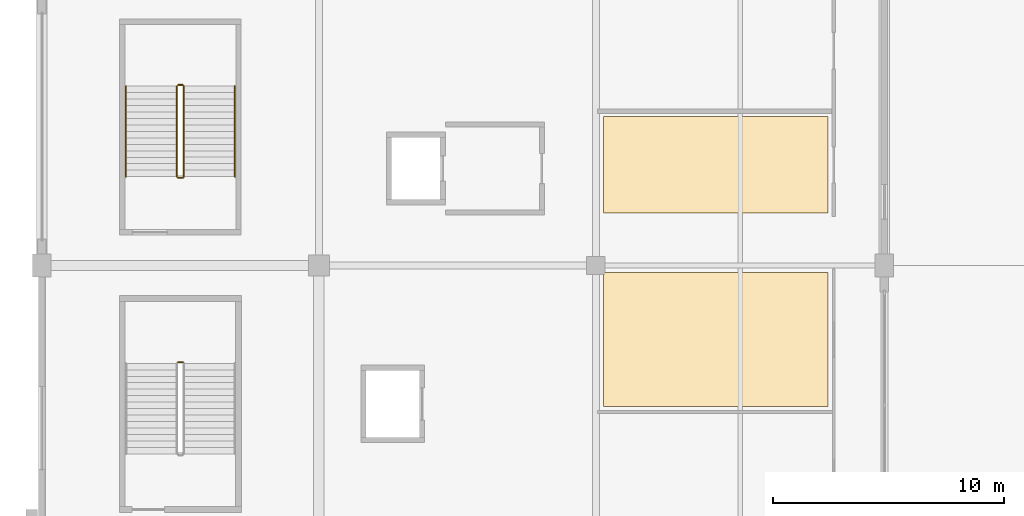
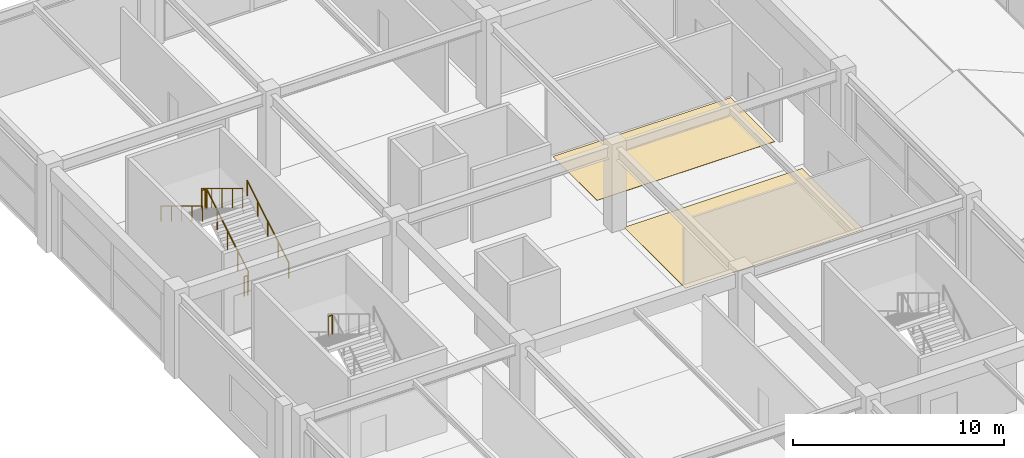
# One storey, part 110 of 116: 7 railings, 2 coverings.
"""IFC4 building model written with IfcOpenShell, lengths in metres."""

from ifc_helpers import new_model, si_unit, direction, frame, origin, origin_2d, place, context, subcontext, project, spatial, polyline, circle, outline, extrude, material, layer, layer_set, type_object, element, save


model = new_model("IFC4")

# Units and contexts
model_context = context("Model", 3, precision=1e-05, world=origin(), true_north=direction((0.0, 1.0)))
body_context = subcontext(model_context, "Body", "Model", "MODEL_VIEW")
ifc_project = project(units=[si_unit("LENGTHUNIT", "METRE"), si_unit("AREAUNIT", "SQUARE_METRE"), si_unit("VOLUMEUNIT", "CUBIC_METRE"), si_unit("PLANEANGLEUNIT", "RADIAN"), si_unit("MASSUNIT", "GRAM", prefix="KILO")], contexts=[model_context])

# Site, building, storey
site_placement = place(None, origin())
site = spatial("IfcSite", under=ifc_project, at=site_placement, CompositionType="ELEMENT")
building_placement = place(site_placement, origin())
building = spatial("IfcBuilding", under=site, at=building_placement, Name="Kazenohara Klinker Stadium", CompositionType="ELEMENT")
storey_placement = place(building_placement, frame((0.0, 0.0, 10.199951171875)))
storey = spatial("IfcBuildingStorey", under=building, at=storey_placement, Name="L02", CompositionType="ELEMENT", Elevation=10.199951171875)

# Coverings
ifc_material_1 = material(Name="Slip-resistant honed basalt terrazzo flooring", Category="masonry")
ifc_layer_1 = layer(ifc_material_1, 0.02001953125)
ifc_layer_set_1 = layer_set([ifc_layer_1], Name="Slip-resistant honed basalt terrazzo flooring")
covering_type_1 = type_object("IfcCoveringType", Name="COV-FLR-01", PredefinedType="FLOORING", material=ifc_layer_set_1)
covering_1_placement = place(storey_placement, origin())
element("IfcCovering", 1, at=covering_1_placement, inside=storey, type_object=covering_type_1, Name="Interior floor finish FL01 Corporate Hospitality Viewing Suite L02-0211B", PredefinedType="FLOORING", context=body_context, shape_type="SweptSolid", body=[
    extrude(outline(polyline([(24.330078125, 137.879638671875), (34.070068359375, 137.879638671875), (34.070068359375, 143.68994140625), (24.330078125, 143.68994140625), (24.330078125, 137.879638671875)])), origin(), (0.0, 0.0, 1.0), 0.02001953125),
])
ifc_material_2 = material(Name="Cushioned EPDM sports rubber flooring", Category="rubber")
ifc_layer_2 = layer(ifc_material_2, 0.014892578125)
ifc_layer_set_2 = layer_set([ifc_layer_2], Name="Cushioned EPDM sports rubber flooring")
covering_type_2 = type_object("IfcCoveringType", Name="COV-FLR-02", PredefinedType="FLOORING", material=ifc_layer_set_2)
covering_2_placement = place(storey_placement, origin())
element("IfcCovering", 2, at=covering_2_placement, inside=storey, type_object=covering_type_2, Name="Interior floor finish FL02 Sapporo Autumn Banquet Hall L02-0212A", PredefinedType="FLOORING", context=body_context, shape_type="SweptSolid", body=[
    extrude(outline(polyline([(24.330078125, 146.27001953125), (34.070068359375, 146.27001953125), (34.070068359375, 150.45849609375), (24.330078125, 150.45849609375), (24.330078125, 146.27001953125)])), origin(), (0.0, 0.0, 1.0), 0.01513671875),
])

# Railings
ifc_material_3 = material(Name="Brushed stainless steel 304 handrail", Category="steel")
ifc_layer_3 = layer(ifc_material_3, 0.050048828125)
ifc_layer_set_3 = layer_set([ifc_layer_3], Name="Brushed stainless steel 304 handrail")
railing_type_1 = type_object("IfcRailingType", Name="RL-HND-900", PredefinedType="HANDRAIL", material=ifc_layer_set_3)
railing_1_placement = place(storey_placement, frame((8.360107421875, 147.85009765625, 0.170166015625)))
element("IfcRailing", 3, at=railing_1_placement, inside=storey, type_object=railing_type_1, Name="L02 ST06 stair handrail 1", PredefinedType="HANDRAIL", context=body_context, shape_type="SweptSolid", body=[
    extrude(circle(Radius=0.02392578125, at=origin_2d()), frame((0.0, 0.0, 0.8759765625), z_axis=(0.0, 0.854794262968, 0.518967020143), x_axis=(-1.0, 0.0, 0.0)), (0.0, 0.0, 1.0), 4.585693359375),
    extrude(circle(Radius=0.02099609375, at=origin_2d()), origin(), (0.0, 0.0, 1.0), 0.851806640625),
    extrude(circle(Radius=0.02099609375, at=origin_2d()), frame((0.0, 0.97998046875, 0.594970703125)), (0.0, 0.0, 1.0), 0.851806640625),
    extrude(circle(Radius=0.02099609375, at=origin_2d()), frame((0.0, 1.9599609375, 1.18994140625)), (0.0, 0.0, 1.0), 0.851806640625),
    extrude(circle(Radius=0.02099609375, at=origin_2d()), frame((0.0, 2.93994140625, 1.784912109375)), (0.0, 0.0, 1.0), 0.851806640625),
    extrude(circle(Radius=0.02099609375, at=origin_2d()), frame((0.0, 3.919921875, 2.3798828125)), (0.0, 0.0, 1.0), 0.851806640625),
])
railing_2_placement = place(storey_placement, frame((3.639892578125, 151.77001953125, 2.719970703125)))
element("IfcRailing", 4, at=railing_2_placement, inside=storey, type_object=railing_type_1, Name="L02 ST06 stair handrail 2", PredefinedType="HANDRAIL", context=body_context, shape_type="SweptSolid", body=[
    extrude(circle(Radius=0.02392578125, at=origin_2d()), frame((0.0, 0.0, 0.8759765625), z_axis=(0.0, -0.854770645689, 0.519005918337), x_axis=(1.0, 0.0, 0.0)), (0.0, 0.0, 1.0), 4.5859375),
    extrude(circle(Radius=0.02099609375, at=origin_2d()), origin(), (0.0, 0.0, 1.0), 0.851806640625),
    extrude(circle(Radius=0.02099609375, at=origin_2d()), frame((0.0, -0.97998046875, 0.594970703125)), (0.0, 0.0, 1.0), 0.851806640625),
    extrude(circle(Radius=0.02099609375, at=origin_2d()), frame((0.0, -1.9599609375, 1.18994140625)), (0.0, 0.0, 1.0), 0.851806640625),
    extrude(circle(Radius=0.02099609375, at=origin_2d()), frame((0.0, -2.93994140625, 1.78515625)), (0.0, 0.0, 1.0), 0.851806640625),
    extrude(circle(Radius=0.02099609375, at=origin_2d()), frame((0.0, -3.919921875, 2.380126953125)), (0.0, 0.0, 1.0), 0.851806640625),
])
ifc_material_4 = material(Name="Painted steel stairwell guardrail", Category="steel")
ifc_layer_4 = layer(ifc_material_4, 0.06005859375)
ifc_layer_set_4 = layer_set([ifc_layer_4], Name="Painted steel stairwell guardrail")
railing_type_2 = type_object("IfcRailingType", Name="RL-STG-1120", PredefinedType="GUARDRAIL", material=ifc_layer_set_4)
railing_3_placement = place(storey_placement, frame((6.10009765625, 139.81005859375, 2.550048828125)))
element("IfcRailing", 5, at=railing_3_placement, inside=storey, type_object=railing_type_2, Name="L02 ST05 stair guard 2", PredefinedType="GUARDRAIL", context=body_context, shape_type="SweptSolid", body=[
    extrude(circle(Radius=0.02392578125, at=origin_2d()), frame((0.0, 0.0, 1.1259765625), z_axis=(-1.0, 0.0, 0.0), x_axis=(0.0, -1.0, 0.0)), (0.0, 0.0, 1.0), 0.2001953125),
    extrude(circle(Radius=0.02099609375, at=origin_2d()), origin(), (0.0, 0.0, 1.0), 1.101806640625),
    extrude(circle(Radius=0.02099609375, at=origin_2d()), frame((-0.2001953125, 0.0, 0.0)), (0.0, 0.0, 1.0), 1.101806640625),
])
railing_4_placement = place(storey_placement, frame((6.14990234375, 147.85009765625, 0.170166015625)))
element("IfcRailing", 6, at=railing_4_placement, inside=storey, type_object=railing_type_2, Name="L02 ST06 stair guard 1", PredefinedType="GUARDRAIL", context=body_context, shape_type="SweptSolid", body=[
    extrude(circle(Radius=0.02392578125, at=origin_2d()), frame((0.0, 0.0, 1.1259765625), z_axis=(0.0, 0.854794262968, 0.518967020143), x_axis=(-1.0, 0.0, 0.0)), (0.0, 0.0, 1.0), 4.585693359375),
    extrude(circle(Radius=0.02099609375, at=origin_2d()), origin(), (0.0, 0.0, 1.0), 1.101806640625),
    extrude(circle(Radius=0.02099609375, at=origin_2d()), frame((0.0, 0.97998046875, 0.594970703125)), (0.0, 0.0, 1.0), 1.101806640625),
    extrude(circle(Radius=0.02099609375, at=origin_2d()), frame((0.0, 1.9599609375, 1.18994140625)), (0.0, 0.0, 1.0), 1.101806640625),
    extrude(circle(Radius=0.02099609375, at=origin_2d()), frame((0.0, 2.93994140625, 1.784912109375)), (0.0, 0.0, 1.0), 1.101806640625),
    extrude(circle(Radius=0.02099609375, at=origin_2d()), frame((0.0, 3.919921875, 2.3798828125)), (0.0, 0.0, 1.0), 1.101806640625),
])
railing_5_placement = place(storey_placement, frame((6.10009765625, 151.820068359375, 2.550048828125)))
element("IfcRailing", 7, at=railing_5_placement, inside=storey, type_object=railing_type_2, Name="L02 ST06 stair guard 2", PredefinedType="GUARDRAIL", context=body_context, shape_type="SweptSolid", body=[
    extrude(circle(Radius=0.02392578125, at=origin_2d()), frame((0.0, 0.0, 1.1259765625), z_axis=(-1.0, 0.0, 0.0), x_axis=(0.0, -1.0, 0.0)), (0.0, 0.0, 1.0), 0.2001953125),
    extrude(circle(Radius=0.02099609375, at=origin_2d()), origin(), (0.0, 0.0, 1.0), 1.101806640625),
    extrude(circle(Radius=0.02099609375, at=origin_2d()), frame((-0.2001953125, 0.0, 0.0)), (0.0, 0.0, 1.0), 1.101806640625),
])
railing_6_placement = place(storey_placement, frame((5.85009765625, 151.77001953125, 2.719970703125)))
element("IfcRailing", 8, at=railing_6_placement, inside=storey, type_object=railing_type_2, Name="L02 ST06 stair guard 3", PredefinedType="GUARDRAIL", context=body_context, shape_type="SweptSolid", body=[
    extrude(circle(Radius=0.02392578125, at=origin_2d()), frame((0.0, 0.0, 1.1259765625), z_axis=(0.0, -0.854770645689, 0.519005918337), x_axis=(1.0, 0.0, 0.0)), (0.0, 0.0, 1.0), 4.5859375),
    extrude(circle(Radius=0.02099609375, at=origin_2d()), origin(), (0.0, 0.0, 1.0), 1.101806640625),
    extrude(circle(Radius=0.02099609375, at=origin_2d()), frame((0.0, -0.97998046875, 0.594970703125)), (0.0, 0.0, 1.0), 1.101806640625),
    extrude(circle(Radius=0.02099609375, at=origin_2d()), frame((0.0, -1.9599609375, 1.18994140625)), (0.0, 0.0, 1.0), 1.101806640625),
    extrude(circle(Radius=0.02099609375, at=origin_2d()), frame((0.0, -2.93994140625, 1.78515625)), (0.0, 0.0, 1.0), 1.101806640625),
    extrude(circle(Radius=0.02099609375, at=origin_2d()), frame((0.0, -3.919921875, 2.380126953125)), (0.0, 0.0, 1.0), 1.101806640625),
])
railing_7_placement = place(storey_placement, frame((6.10009765625, 147.800048828125, 0.0)))
element("IfcRailing", 9, at=railing_7_placement, inside=storey, type_object=railing_type_2, Name="L02 ST06 stair guard 4", PredefinedType="GUARDRAIL", context=body_context, shape_type="SweptSolid", body=[
    extrude(circle(Radius=0.02392578125, at=origin_2d()), frame((0.0, 0.0, 1.1259765625), z_axis=(-1.0, 0.0, 0.0), x_axis=(0.0, -1.0, 0.0)), (0.0, 0.0, 1.0), 0.2001953125),
    extrude(circle(Radius=0.02099609375, at=origin_2d()), origin(), (0.0, 0.0, 1.0), 1.101806640625),
    extrude(circle(Radius=0.02099609375, at=origin_2d()), frame((-0.2001953125, 0.0, 0.0)), (0.0, 0.0, 1.0), 1.101806640625),
])

save(model, "model.ifc")
